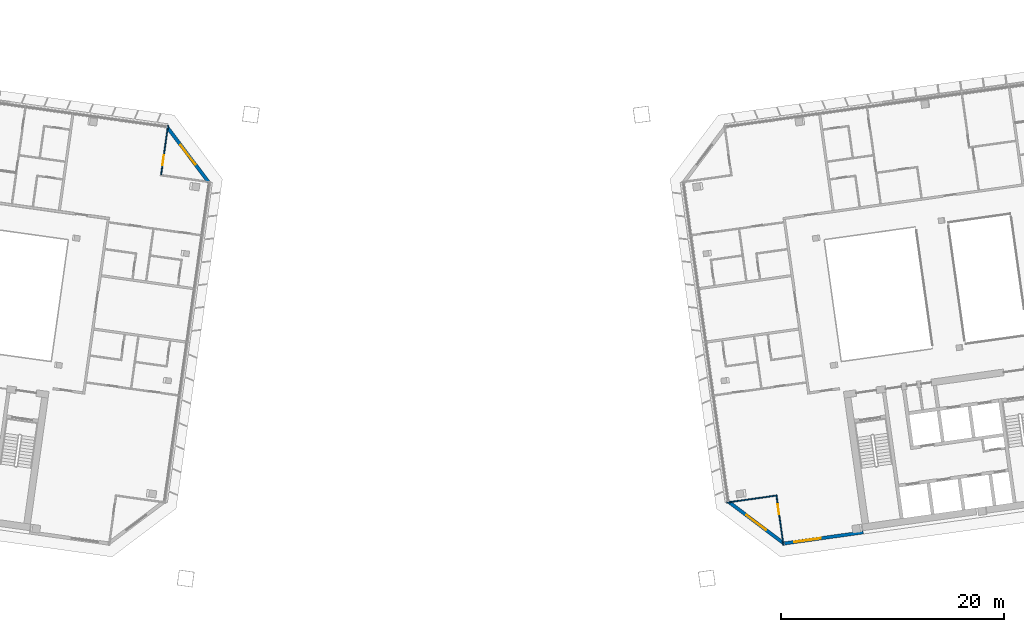
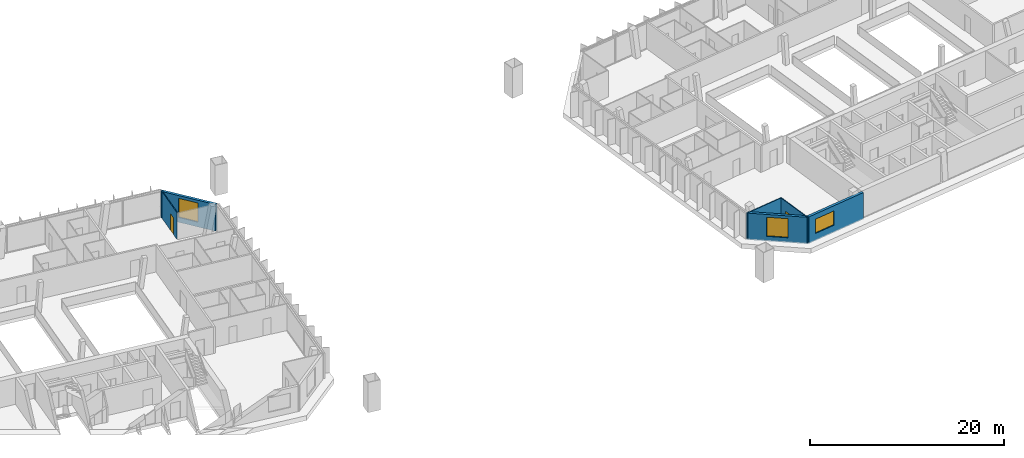
# One storey, part 18 of 26: 6 walls, 3 windows, 2 doors, 5 openings.
"""IFC4 building model written with IfcOpenShell, lengths in metres."""

from ifc_helpers import new_model, si_unit, direction, frame, frame_2d, origin, place, context, subcontext, project, spatial, rectangle, extrude, material, layer, layer_set, type_object, element, fill, save


model = new_model("IFC4")

# Units and contexts
model_context = context("Model", 3, precision=1e-05, world=origin(), true_north=direction((0.0, 1.0)))
body_context = subcontext(model_context, "Body", "Model", "MODEL_VIEW")
ifc_project = project(units=[si_unit("LENGTHUNIT", "METRE"), si_unit("AREAUNIT", "SQUARE_METRE"), si_unit("VOLUMEUNIT", "CUBIC_METRE"), si_unit("PLANEANGLEUNIT", "RADIAN"), si_unit("MASSUNIT", "GRAM", prefix="KILO")], contexts=[model_context])

# Site, building, storey
site_placement = place(None, origin())
site = spatial("IfcSite", under=ifc_project, at=site_placement, CompositionType="ELEMENT")
building_placement = place(site_placement, origin())
building = spatial("IfcBuilding", under=site, at=building_placement, Name="Mirante Cascada Hotel Towers", CompositionType="ELEMENT")
storey_placement = place(building_placement, frame((0.0, 0.0, 228.0)))
storey = spatial("IfcBuildingStorey", under=building, at=storey_placement, Name="L54", CompositionType="ELEMENT", Elevation=228.0)

# Wall, opening, door
ifc_material_1 = material(Name="Plasterboard on metal studs")
ifc_layer_1 = layer(ifc_material_1, 0.1)
ifc_layer_set_1 = layer_set([ifc_layer_1], Name="Partition 100")
wall_type_1 = type_object("IfcWallType", Name="Partition 100", PredefinedType="PARTITIONING", material=ifc_layer_set_1)
wall_1_placement = place(storey_placement, frame((-25.5605, 12.0691, 0.0), z_axis=(0.0, 0.0, 1.0), x_axis=(0.1391935, 0.9902652, 0.0)))
wall_1 = element("IfcWall", 1, at=wall_1_placement, inside=storey, type_object=wall_type_1, Name="Wall 1-L54-33", PredefinedType="PARTITIONING", context=body_context, shape_type="SweptSolid", body=[
    extrude(rectangle(XDim=4.4499, YDim=0.1, at=frame_2d((2.225, 0.0))), origin(), (0.0, 0.0, 1.0), 3.35),
])
opening_1_placement = place(wall_1_placement, frame((0.8583, 0.0, 0.0)))
opening_1 = element("IfcOpeningElement", 2, at=opening_1_placement, cuts=wall_1, Name="Opening D1-L54-20", PredefinedType="OPENING", context=body_context, shape_type="SweptSolid", body=[
    extrude(rectangle(XDim=0.9, YDim=2.1, at=frame_2d((0.45, 1.05))), frame((0.0, 0.05, 0.0), z_axis=(0.0, -1.0, 0.0), x_axis=(1.0, 0.0, 0.0)), (0.0, 0.0, 1.0), 0.1),
])
ifc_material_2 = material(Name="Timber door leaf", Category="wood")
door_type = type_object("IfcDoorType", Name="Room door DG3 900x2100", OperationType="SINGLE_SWING_LEFT", PredefinedType="DOOR", material=ifc_material_2)
door_1_placement = place(opening_1_placement, origin())
door_1 = element("IfcDoor", 3, at=door_1_placement, inside=storey, type_object=door_type, Name="Door D1-L54-20", OperationType="SINGLE_SWING_LEFT", OverallHeight=2.1, OverallWidth=0.9, PredefinedType="DOOR", context=body_context, shape_type="SweptSolid", body=[
    extrude(rectangle(XDim=0.9, YDim=2.1, at=frame_2d((0.45, 1.05))), frame((0.0, 0.025, 0.0), z_axis=(0.0, -1.0, 0.0), x_axis=(1.0, 0.0, 0.0)), (0.0, 0.0, 1.0), 0.05),
])
fill(opening_1, door_1)

# Wall
wall_2_placement = place(storey_placement, frame((25.1472, -17.3245, 0.0), z_axis=(0.0, 0.0, 1.0), x_axis=(0.9902695, 0.1391626, 0.0)))
element("IfcWall", 4, at=wall_2_placement, inside=storey, type_object=wall_type_1, Name="Wall 2-L54-01", PredefinedType="PARTITIONING", context=body_context, shape_type="SweptSolid", body=[
    extrude(rectangle(XDim=4.5501, YDim=0.1, at=frame_2d((2.275, 0.0))), origin(), (0.0, 0.0, 1.0), 3.35),
])

# Wall, opening, door
wall_3_placement = place(storey_placement, frame((29.6104, -16.7477, 0.0), z_axis=(0.0, 0.0, 1.0), x_axis=(0.1391684, -0.9902687, 0.0)))
wall_3 = element("IfcWall", 5, at=wall_3_placement, inside=storey, type_object=wall_type_1, Name="Wall 2-L54-30", PredefinedType="PARTITIONING", context=body_context, shape_type="SweptSolid", body=[
    extrude(rectangle(XDim=4.45, YDim=0.1, at=frame_2d((2.225, 0.0))), origin(), (0.0, 0.0, 1.0), 3.35),
])
opening_2_placement = place(wall_3_placement, frame((0.75, 0.0, 0.0)))
opening_2 = element("IfcOpeningElement", 6, at=opening_2_placement, cuts=wall_3, Name="Opening D2-L54-19", PredefinedType="OPENING", context=body_context, shape_type="SweptSolid", body=[
    extrude(rectangle(XDim=0.9, YDim=2.1, at=frame_2d((0.45, 1.05))), frame((0.0, 0.05, 0.0), z_axis=(0.0, -1.0, 0.0), x_axis=(1.0, 0.0, 0.0)), (0.0, 0.0, 1.0), 0.1),
])
door_2_placement = place(opening_2_placement, origin())
door_2 = element("IfcDoor", 7, at=door_2_placement, inside=storey, type_object=door_type, Name="Door D2-L54-19", OperationType="SINGLE_SWING_LEFT", OverallHeight=2.1, OverallWidth=0.9, PredefinedType="DOOR", context=body_context, shape_type="SweptSolid", body=[
    extrude(rectangle(XDim=0.9, YDim=2.1, at=frame_2d((0.45, 1.05))), frame((0.0, 0.025, 0.0), z_axis=(0.0, -1.0, 0.0), x_axis=(1.0, 0.0, 0.0)), (0.0, 0.0, 1.0), 0.05),
])
fill(opening_2, door_2)

# Wall, opening, window
ifc_material_3 = material(Name="Precast concrete C40/50", Category="concrete")
ifc_layer_2 = layer(ifc_material_3, 0.3)
ifc_layer_set_2 = layer_set([ifc_layer_2], Name="Precast concrete C40/50 cladding wall 300")
wall_type_2 = type_object("IfcWallType", Name="Precast concrete C40/50 cladding wall 300", PredefinedType="STANDARD", material=ifc_layer_set_2)
wall_4_placement = place(storey_placement, frame((-24.9863, 16.2863, 0.0), z_axis=(0.0, 0.0, 1.0), x_axis=(0.6018245, -0.7986283, 0.0)))
wall_4 = element("IfcWall", 8, at=wall_4_placement, inside=storey, type_object=wall_type_2, Name="Corner cladding wall T1 L54 front inner", PredefinedType="STANDARD", context=body_context, shape_type="SweptSolid", body=[
    extrude(rectangle(XDim=6.1157, YDim=0.3, at=frame_2d((3.0578, 0.0))), origin(), (0.0, 0.0, 1.0), 3.35),
])
opening_3_placement = place(wall_4_placement, frame((1.9578, 0.0, 0.6)))
opening_3 = element("IfcOpeningElement", 9, at=opening_3_placement, cuts=wall_4, Name="Opening W1-54-04", PredefinedType="OPENING", context=body_context, shape_type="SweptSolid", body=[
    extrude(rectangle(XDim=2.2, YDim=2.4, at=frame_2d((1.1, 1.2))), frame((0.0, 0.15, 0.0), z_axis=(0.0, -1.0, 0.0), x_axis=(1.0, 0.0, 0.0)), (0.0, 0.0, 1.0), 0.3),
])
ifc_material_4 = material(Name="Aluminium frame with clear double glazing", Category="aluminium")
window_type_1 = type_object("IfcWindowType", Name="Corner suite window 2200x2400", PartitioningType="DOUBLE_PANEL_VERTICAL", PredefinedType="WINDOW", material=ifc_material_4)
window_1_placement = place(opening_3_placement, origin())
window_1 = element("IfcWindow", 10, at=window_1_placement, inside=storey, type_object=window_type_1, Name="Window W1-54-04", OverallHeight=2.4, OverallWidth=2.2, PartitioningType="SINGLE_PANEL", PredefinedType="WINDOW", context=body_context, shape_type="SweptSolid", body=[
    extrude(rectangle(XDim=2.2, YDim=2.4, at=frame_2d((1.1, 1.2))), frame((0.0, 0.03, 0.0), z_axis=(0.0, -1.0, 0.0), x_axis=(1.0, 0.0, 0.0)), (0.0, 0.0, 1.0), 0.06),
])
fill(opening_3, window_1)

wall_5_placement = place(storey_placement, frame((30.3318, -20.9886, 0.0), z_axis=(0.0, 0.0, 1.0), x_axis=(0.990268, 0.1391736, 0.0)))
wall_5 = element("IfcWall", 11, at=wall_5_placement, inside=storey, type_object=wall_type_2, Name="Rear cladding wall T2 L54 1", PredefinedType="STANDARD", context=body_context, shape_type="SweptSolid", body=[
    extrude(rectangle(XDim=7.1141, YDim=0.3, at=frame_2d((3.557, 0.0))), origin(), (0.0, 0.0, 1.0), 3.35),
])
opening_4_placement = place(wall_5_placement, frame((0.8787, 0.0, 0.9)))
opening_4 = element("IfcOpeningElement", 12, at=opening_4_placement, cuts=wall_5, Name="Opening W2-54-01", PredefinedType="OPENING", context=body_context, shape_type="SweptSolid", body=[
    extrude(rectangle(XDim=2.4, YDim=1.8, at=frame_2d((1.2, 0.9))), frame((0.0, 0.15, 0.0), z_axis=(0.0, -1.0, 0.0), x_axis=(1.0, 0.0, 0.0)), (0.0, 0.0, 1.0), 0.3),
])
ifc_material_5 = material(Name="Aluminium frame with clear double glazing", Category="aluminium")
window_type_2 = type_object("IfcWindowType", Name="Punched window 2400x1800", PartitioningType="DOUBLE_PANEL_VERTICAL", PredefinedType="WINDOW", material=ifc_material_5)
window_2_placement = place(opening_4_placement, origin())
window_2 = element("IfcWindow", 13, at=window_2_placement, inside=storey, type_object=window_type_2, Name="Window W2-54-01", OverallHeight=1.8, OverallWidth=2.4, PartitioningType="SINGLE_PANEL", PredefinedType="WINDOW", context=body_context, shape_type="SweptSolid", body=[
    extrude(rectangle(XDim=2.4, YDim=1.8, at=frame_2d((1.2, 0.9))), frame((0.0, 0.03, 0.0), z_axis=(0.0, -1.0, 0.0), x_axis=(1.0, 0.0, 0.0)), (0.0, 0.0, 1.0), 0.06),
])
fill(opening_4, window_2)

wall_6_placement = place(storey_placement, frame((25.3367, -17.2794, 0.0), z_axis=(0.0, 0.0, 1.0), x_axis=(0.7986362, -0.6018141, 0.0)))
wall_6 = element("IfcWall", 14, at=wall_6_placement, inside=storey, type_object=wall_type_2, Name="Corner cladding wall T2 L54 inner rear", PredefinedType="STANDARD", context=body_context, shape_type="SweptSolid", body=[
    extrude(rectangle(XDim=6.1157, YDim=0.3, at=frame_2d((3.0578, 0.0))), origin(), (0.0, 0.0, 1.0), 3.35),
])
opening_5_placement = place(wall_6_placement, frame((1.9578, 0.0, 0.6)))
opening_5 = element("IfcOpeningElement", 15, at=opening_5_placement, cuts=wall_6, Name="Opening W2-54-05", PredefinedType="OPENING", context=body_context, shape_type="SweptSolid", body=[
    extrude(rectangle(XDim=2.2, YDim=2.4, at=frame_2d((1.1, 1.2))), frame((0.0, 0.15, 0.0), z_axis=(0.0, -1.0, 0.0), x_axis=(1.0, 0.0, 0.0)), (0.0, 0.0, 1.0), 0.3),
])
window_3_placement = place(opening_5_placement, origin())
window_3 = element("IfcWindow", 16, at=window_3_placement, inside=storey, type_object=window_type_1, Name="Window W2-54-05", OverallHeight=2.4, OverallWidth=2.2, PartitioningType="SINGLE_PANEL", PredefinedType="WINDOW", context=body_context, shape_type="SweptSolid", body=[
    extrude(rectangle(XDim=2.2, YDim=2.4, at=frame_2d((1.1, 1.2))), frame((0.0, 0.03, 0.0), z_axis=(0.0, -1.0, 0.0), x_axis=(1.0, 0.0, 0.0)), (0.0, 0.0, 1.0), 0.06),
])
fill(opening_5, window_3)

save(model, "model.ifc")
